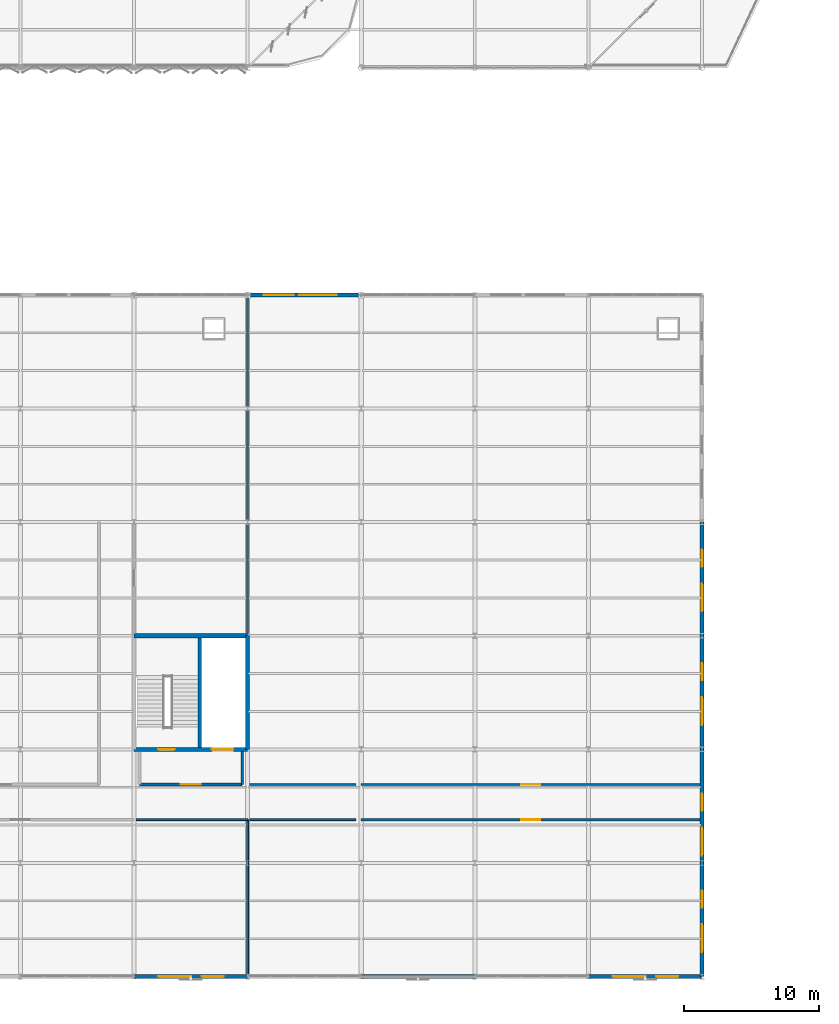
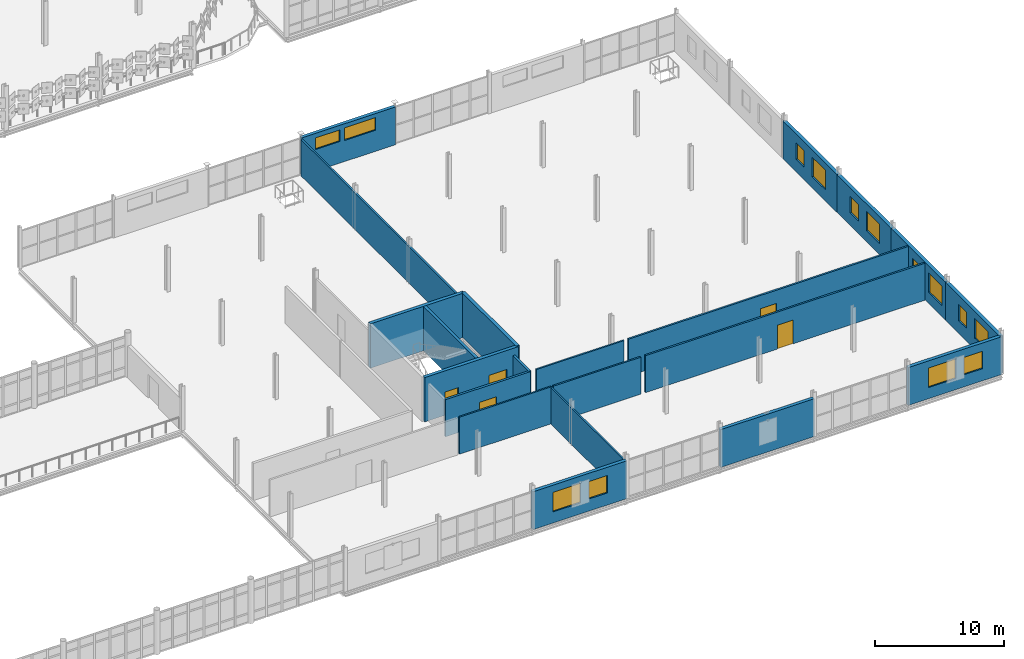
# One storey, part 136 of 163: 21 walls, 14 windows, 5 doors, 19 openings.
"""IFC4 building model written with IfcOpenShell, lengths in metres."""

from ifc_helpers import new_model, si_unit, direction, frame, frame_2d, origin, place, context, subcontext, project, spatial, rectangle, extrude, material, layer, layer_set, type_object, element, fill, save


model = new_model("IFC4")

# Units and contexts
model_context = context("Model", 3, precision=1e-05, world=origin(), true_north=direction((0.0, 1.0)))
body_context = subcontext(model_context, "Body", "Model", "MODEL_VIEW")
ifc_project = project(units=[si_unit("LENGTHUNIT", "METRE"), si_unit("AREAUNIT", "SQUARE_METRE"), si_unit("VOLUMEUNIT", "CUBIC_METRE"), si_unit("PLANEANGLEUNIT", "RADIAN"), si_unit("MASSUNIT", "GRAM", prefix="KILO")], contexts=[model_context])

# Site, building, storey
site_placement = place(None, origin())
site = spatial("IfcSite", under=ifc_project, at=site_placement, CompositionType="ELEMENT")
building_placement = place(site_placement, origin())
building = spatial("IfcBuilding", under=site, at=building_placement, Name="Qalvenar Corner Mobility Hub", CompositionType="ELEMENT")
storey_placement = place(building_placement, frame((0.0, 0.0, 4.800048828125)))
storey = spatial("IfcBuildingStorey", under=building, at=storey_placement, Name="L01", CompositionType="ELEMENT", Elevation=4.800048828125)

# Wall
ifc_material_1 = material(Name="Concrete C40/50", Category="concrete")
ifc_layer_1 = layer(ifc_material_1, 0.25)
ifc_layer_set_1 = layer_set([ifc_layer_1], Name="Concrete C40/50")
wall_type_1 = type_object("IfcWallType", Name="WL-CORE250", PredefinedType="SHEAR", material=ifc_layer_set_1)
wall_1_placement = place(storey_placement, frame((130.85009765625, 16.949951171875, 0.0), z_axis=(0.0, 0.0, 1.0), x_axis=(0.0, 1.0, 0.0)))
element("IfcWall", 1, at=wall_1_placement, inside=storey, type_object=wall_type_1, Name="Core Divider Wall C6-L01", PredefinedType="SHEAR", context=body_context, shape_type="SweptSolid", body=[
    extrude(rectangle(XDim=8.10009765625, YDim=0.25, at=frame_2d((4.050048828125, 0.0))), origin(), (0.0, 0.0, 1.0), 4.199951171875),
])

# Wall, openings, doors
ifc_layer_2 = layer(ifc_material_1, 0.300048828125)
ifc_layer_set_2 = layer_set([ifc_layer_2], Name="Concrete C40/50")
wall_type_2 = type_object("IfcWallType", Name="WL-CORE300", PredefinedType="SHEAR", material=ifc_layer_set_2)
wall_2_placement = place(storey_placement, frame((126.0, 16.800048828125, 0.0), z_axis=(0.0, 0.0, 1.0), x_axis=(1.0, 0.0, 0.0)))
wall_2 = element("IfcWall", 2, at=wall_2_placement, inside=storey, type_object=wall_type_2, Name="Core Shear Wall C6-L01-S", PredefinedType="SHEAR", context=body_context, shape_type="SweptSolid", body=[
    extrude(rectangle(XDim=8.39990234375, YDim=0.300048828125, at=frame_2d((4.199951171875, 0.0))), origin(), (0.0, 0.0, 1.0), 4.199951171875),
])
opening_1_placement = place(wall_2_placement, frame((1.800048828125, 0.0, 0.0)))
opening_1 = element("IfcOpeningElement", 3, at=opening_1_placement, cuts=wall_2, Name="Opening DR-133", PredefinedType="OPENING", context=body_context, shape_type="SweptSolid", body=[
    extrude(rectangle(XDim=1.199951171875, YDim=2.199951171875, at=frame_2d((0.60009765625, 1.10009765625))), frame((0.0, 0.16015625, 0.0), z_axis=(0.0, -1.0, 0.0), x_axis=(1.0, 0.0, 0.0)), (0.0, 0.0, 1.0), 0.320068359375),
])
opening_2_placement = place(wall_2_placement, frame((5.75, 0.0, 0.0)))
opening_2 = element("IfcOpeningElement", 4, at=opening_2_placement, cuts=wall_2, Name="Opening DR-134", PredefinedType="OPENING", context=body_context, shape_type="SweptSolid", body=[
    extrude(rectangle(XDim=1.60009765625, YDim=2.39990234375, at=frame_2d((0.800048828125, 1.199951171875))), frame((0.0, 0.16015625, 0.0), z_axis=(0.0, -1.0, 0.0), x_axis=(1.0, 0.0, 0.0)), (0.0, 0.0, 1.0), 0.320068359375),
])
ifc_material_2 = material(Name="Stainless Steel Goods Lift Landing Door", Category="steel")
door_type_1 = type_object("IfcDoorType", Name="DR-LIFT-160", OperationType="SLIDING_TO_LEFT", PredefinedType="DOOR", material=ifc_material_2)
door_1_placement = place(opening_2_placement, origin())
door_1 = element("IfcDoor", 5, at=door_1_placement, inside=storey, type_object=door_type_1, Name="DR-134 Lift Landing Door LG2-L01", OperationType="SLIDING_TO_LEFT", OverallHeight=2.39990234375, OverallWidth=1.60009765625, PredefinedType="DOOR", context=body_context, shape_type="SweptSolid", body=[
    extrude(rectangle(XDim=1.60009765625, YDim=2.39990234375, at=frame_2d((0.800048828125, 1.199951171875))), frame((0.0, 0.02490234375, 0.0), z_axis=(0.0, -1.0, 0.0), x_axis=(1.0, 0.0, 0.0)), (0.0, 0.0, 1.0), 0.050048828125),
])
fill(opening_2, door_1)
ifc_material_3 = material(Name="Fire-Rated Steel Stair Door FD90", Category="steel")
door_type_2 = type_object("IfcDoorType", Name="DR-STAIR-120", OperationType="NOTDEFINED", PredefinedType="DOOR", material=ifc_material_3)
door_2_placement = place(opening_1_placement, origin())
door_2 = element("IfcDoor", 6, at=door_2_placement, inside=storey, type_object=door_type_2, Name="DR-133 Stair Fire Door ST6-L01", OperationType="SINGLE_SWING_LEFT", OverallHeight=2.199951171875, OverallWidth=1.199951171875, PredefinedType="DOOR", context=body_context, shape_type="SweptSolid", body=[
    extrude(rectangle(XDim=1.199951171875, YDim=2.199951171875, at=frame_2d((0.60009765625, 1.10009765625))), frame((0.0, 0.02490234375, 0.0), z_axis=(0.0, -1.0, 0.0), x_axis=(1.0, 0.0, 0.0)), (0.0, 0.0, 1.0), 0.050048828125),
])
fill(opening_1, door_2)

# Walls
for number, where, z_axis, x_axis, name in (
    (7, (134.39990234375, 16.800048828125, 0.0), (0.0, 0.0, 1.0), (0.0, 1.0, 0.0), "Core Shear Wall C6-L01-E"),
    (8, (134.39990234375, 25.199951171875, 0.0), (0.0, 0.0, 1.0), (-1.0, 0.0, 0.0), "Core Shear Wall C6-L01-N"),
):
    element("IfcWall", number, at=place(storey_placement, frame(where, z_axis=z_axis, x_axis=x_axis)), inside=storey, type_object=wall_type_2, Name=name, PredefinedType="SHEAR", context=body_context, shape_type="SweptSolid", body=[
        extrude(rectangle(XDim=8.39990234375, YDim=0.300048828125, at=frame_2d((4.199951171875, 0.0))), origin(), (0.0, 0.0, 1.0), 4.199951171875),
    ])

# Wall, openings, windows
ifc_material_4 = material(Name="Lahori Fired Clay Brick Masonry", Category="masonry")
ifc_layer_3 = layer(ifc_material_4, 0.300048828125)
ifc_layer_set_3 = layer_set([ifc_layer_3], Name="Lahori Fired Clay Brick Masonry")
wall_type_3 = type_object("IfcWallType", Name="WL-EXT-BRK300", PredefinedType="STANDARD", material=ifc_layer_set_3)
wall_3_placement = place(storey_placement, frame((126.0, 0.0, 0.0), z_axis=(0.0, 0.0, 1.0), x_axis=(1.0, 0.0, 0.0)))
wall_3 = element("IfcWall", 9, at=wall_3_placement, inside=storey, type_object=wall_type_3, Name="Exterior Facade Wall EW-V6-L01-S2", PredefinedType="STANDARD", context=body_context, shape_type="SweptSolid", body=[
    extrude(rectangle(XDim=8.39990234375, YDim=0.300048828125, at=frame_2d((4.199951171875, 0.0))), origin(), (0.0, 0.0, 1.0), 3.579833984375),
])
opening_3_placement = place(wall_3_placement, frame((1.800048828125, 0.0, 1.050048828125)))
opening_3 = element("IfcOpeningElement", 10, at=opening_3_placement, cuts=wall_3, Name="Opening W-36", PredefinedType="OPENING", context=body_context, shape_type="SweptSolid", body=[
    extrude(rectangle(XDim=2.449951171875, YDim=1.85009765625, at=frame_2d((1.22509765625, 0.925048828125))), frame((0.0, 0.16015625, 0.0), z_axis=(0.0, -1.0, 0.0), x_axis=(1.0, 0.0, 0.0)), (0.0, 0.0, 1.0), 0.320068359375),
])
opening_4_placement = place(wall_3_placement, frame((5.0, 0.0, 1.14990234375)))
opening_4 = element("IfcOpeningElement", 11, at=opening_4_placement, cuts=wall_3, Name="Opening W-38", PredefinedType="OPENING", context=body_context, shape_type="SweptSolid", body=[
    extrude(rectangle(XDim=1.64990234375, YDim=1.64990234375, at=frame_2d((0.824951171875, 0.824951171875))), frame((0.0, 0.16015625, 0.0), z_axis=(0.0, -1.0, 0.0), x_axis=(1.0, 0.0, 0.0)), (0.0, 0.0, 1.0), 0.320068359375),
])
ifc_material_5 = material(Name="Solar-Control Double-Glazed Bronze Window", Category="glass")
window_type_1 = type_object("IfcWindowType", Name="WN-WKS-165X165", PartitioningType="DOUBLE_PANEL_VERTICAL", PredefinedType="WINDOW", material=ifc_material_5)
window_1_placement = place(opening_4_placement, origin())
window_1 = element("IfcWindow", 12, at=window_1_placement, inside=storey, type_object=window_type_1, Name="Facade Window EW-V6-L01-S2-W2", OverallHeight=1.64990234375, OverallWidth=1.64990234375, PartitioningType="SINGLE_PANEL", PredefinedType="WINDOW", context=body_context, shape_type="SweptSolid", body=[
    extrude(rectangle(XDim=1.64990234375, YDim=1.64990234375, at=frame_2d((0.824951171875, 0.824951171875))), frame((0.0, 0.030029296875, 0.0), z_axis=(0.0, -1.0, 0.0), x_axis=(1.0, 0.0, 0.0)), (0.0, 0.0, 1.0), 0.06005859375),
])
fill(opening_4, window_1)
window_type_2 = type_object("IfcWindowType", Name="WN-WKS-245X185", PartitioningType="DOUBLE_PANEL_HORIZONTAL", PredefinedType="WINDOW", material=ifc_material_5)
window_2_placement = place(opening_3_placement, origin())
window_2 = element("IfcWindow", 13, at=window_2_placement, inside=storey, type_object=window_type_2, Name="Facade Window EW-V6-L01-S2-W1", OverallHeight=1.85009765625, OverallWidth=2.449951171875, PartitioningType="SINGLE_PANEL", PredefinedType="WINDOW", context=body_context, shape_type="SweptSolid", body=[
    extrude(rectangle(XDim=2.449951171875, YDim=1.85009765625, at=frame_2d((1.22509765625, 0.925048828125))), frame((0.0, 0.030029296875, 0.0), z_axis=(0.0, -1.0, 0.0), x_axis=(1.0, 0.0, 0.0)), (0.0, 0.0, 1.0), 0.06005859375),
])
fill(opening_3, window_2)

# Wall
wall_4_placement = place(storey_placement, frame((142.800048828125, 0.0, 0.0), z_axis=(0.0, 0.0, 1.0), x_axis=(1.0, 0.0, 0.0)))
element("IfcWall", 14, at=wall_4_placement, inside=storey, type_object=wall_type_3, Name="Exterior Facade Wall EW-V6-L01-S4", PredefinedType="STANDARD", context=body_context, shape_type="SweptSolid", body=[
    extrude(rectangle(XDim=8.39990234375, YDim=0.300048828125, at=frame_2d((4.199951171875, 0.0))), origin(), (0.0, 0.0, 1.0), 3.579833984375),
])

# Wall, openings, windows
wall_5_placement = place(storey_placement, frame((159.60009765625, 0.0, 0.0), z_axis=(0.0, 0.0, 1.0), x_axis=(1.0, 0.0, 0.0)))
wall_5 = element("IfcWall", 15, at=wall_5_placement, inside=storey, type_object=wall_type_3, Name="Exterior Facade Wall EW-V6-L01-S6", PredefinedType="STANDARD", context=body_context, shape_type="SweptSolid", body=[
    extrude(rectangle(XDim=8.39990234375, YDim=0.300048828125, at=frame_2d((4.199951171875, 0.0))), origin(), (0.0, 0.0, 1.0), 3.579833984375),
])
opening_5_placement = place(wall_5_placement, frame((1.800048828125, 0.0, 1.050048828125)))
opening_5 = element("IfcOpeningElement", 16, at=opening_5_placement, cuts=wall_5, Name="Opening W-36", PredefinedType="OPENING", context=body_context, shape_type="SweptSolid", body=[
    extrude(rectangle(XDim=2.449951171875, YDim=1.85009765625, at=frame_2d((1.22509765625, 0.925048828125))), frame((0.0, 0.16015625, 0.0), z_axis=(0.0, -1.0, 0.0), x_axis=(1.0, 0.0, 0.0)), (0.0, 0.0, 1.0), 0.320068359375),
])
opening_6_placement = place(wall_5_placement, frame((5.0, 0.0, 1.14990234375)))
opening_6 = element("IfcOpeningElement", 17, at=opening_6_placement, cuts=wall_5, Name="Opening W-38", PredefinedType="OPENING", context=body_context, shape_type="SweptSolid", body=[
    extrude(rectangle(XDim=1.64990234375, YDim=1.64990234375, at=frame_2d((0.824951171875, 0.824951171875))), frame((0.0, 0.16015625, 0.0), z_axis=(0.0, -1.0, 0.0), x_axis=(1.0, 0.0, 0.0)), (0.0, 0.0, 1.0), 0.320068359375),
])
window_3_placement = place(opening_6_placement, origin())
window_3 = element("IfcWindow", 18, at=window_3_placement, inside=storey, type_object=window_type_1, Name="Facade Window EW-V6-L01-S6-W2", OverallHeight=1.64990234375, OverallWidth=1.64990234375, PartitioningType="SINGLE_PANEL", PredefinedType="WINDOW", context=body_context, shape_type="SweptSolid", body=[
    extrude(rectangle(XDim=1.64990234375, YDim=1.64990234375, at=frame_2d((0.824951171875, 0.824951171875))), frame((0.0, 0.030029296875, 0.0), z_axis=(0.0, -1.0, 0.0), x_axis=(1.0, 0.0, 0.0)), (0.0, 0.0, 1.0), 0.06005859375),
])
fill(opening_6, window_3)
window_4_placement = place(opening_5_placement, origin())
window_4 = element("IfcWindow", 19, at=window_4_placement, inside=storey, type_object=window_type_2, Name="Facade Window EW-V6-L01-S6-W1", OverallHeight=1.85009765625, OverallWidth=2.449951171875, PartitioningType="SINGLE_PANEL", PredefinedType="WINDOW", context=body_context, shape_type="SweptSolid", body=[
    extrude(rectangle(XDim=2.449951171875, YDim=1.85009765625, at=frame_2d((1.22509765625, 0.925048828125))), frame((0.0, 0.030029296875, 0.0), z_axis=(0.0, -1.0, 0.0), x_axis=(1.0, 0.0, 0.0)), (0.0, 0.0, 1.0), 0.06005859375),
])
fill(opening_5, window_4)

wall_6_placement = place(storey_placement, frame((168.0, 0.0, 0.0), z_axis=(0.0, 0.0, 1.0), x_axis=(0.0, 1.0, 0.0)))
wall_6 = element("IfcWall", 20, at=wall_6_placement, inside=storey, type_object=wall_type_3, Name="Exterior Facade Wall EW-V6-L01-E0", PredefinedType="STANDARD", context=body_context, shape_type="SweptSolid", body=[
    extrude(rectangle(XDim=8.39990234375, YDim=0.300048828125, at=frame_2d((4.199951171875, 0.0))), origin(), (0.0, 0.0, 1.0), 3.579833984375),
])
opening_7_placement = place(wall_6_placement, frame((1.800048828125, 0.0, 1.050048828125)))
opening_7 = element("IfcOpeningElement", 21, at=opening_7_placement, cuts=wall_6, Name="Opening W-37", PredefinedType="OPENING", context=body_context, shape_type="SweptSolid", body=[
    extrude(rectangle(XDim=2.050048828125, YDim=1.85009765625, at=frame_2d((1.02490234375, 0.925048828125))), frame((0.0, 0.16015625, 0.0), z_axis=(0.0, -1.0, 0.0), x_axis=(1.0, 0.0, 0.0)), (0.0, 0.0, 1.0), 0.320068359375),
])
opening_8_placement = place(wall_6_placement, frame((5.10009765625, 0.0, 1.199951171875)))
opening_8 = element("IfcOpeningElement", 22, at=opening_8_placement, cuts=wall_6, Name="Opening W-39", PredefinedType="OPENING", context=body_context, shape_type="SweptSolid", body=[
    extrude(rectangle(XDim=1.25, YDim=1.550048828125, at=frame_2d((0.625, 0.77490234375))), frame((0.0, 0.16015625, 0.0), z_axis=(0.0, -1.0, 0.0), x_axis=(1.0, 0.0, 0.0)), (0.0, 0.0, 1.0), 0.320068359375),
])
window_type_3 = type_object("IfcWindowType", Name="WN-WKS-125X155", PartitioningType="SINGLE_PANEL", PredefinedType="WINDOW", material=ifc_material_5)
window_5_placement = place(opening_8_placement, origin())
window_5 = element("IfcWindow", 23, at=window_5_placement, inside=storey, type_object=window_type_3, Name="Facade Window EW-V6-L01-E0-W2", OverallHeight=1.550048828125, OverallWidth=1.25, PartitioningType="SINGLE_PANEL", PredefinedType="WINDOW", context=body_context, shape_type="SweptSolid", body=[
    extrude(rectangle(XDim=1.25, YDim=1.550048828125, at=frame_2d((0.625, 0.77490234375))), frame((0.0, 0.030029296875, 0.0), z_axis=(0.0, -1.0, 0.0), x_axis=(1.0, 0.0, 0.0)), (0.0, 0.0, 1.0), 0.06005859375),
])
fill(opening_8, window_5)
window_type_4 = type_object("IfcWindowType", Name="WN-WKS-205X185", PartitioningType="DOUBLE_PANEL_VERTICAL", PredefinedType="WINDOW", material=ifc_material_5)
window_6_placement = place(opening_7_placement, origin())
window_6 = element("IfcWindow", 24, at=window_6_placement, inside=storey, type_object=window_type_4, Name="Facade Window EW-V6-L01-E0-W1", OverallHeight=1.85009765625, OverallWidth=2.050048828125, PartitioningType="SINGLE_PANEL", PredefinedType="WINDOW", context=body_context, shape_type="SweptSolid", body=[
    extrude(rectangle(XDim=2.050048828125, YDim=1.85009765625, at=frame_2d((1.02490234375, 0.925048828125))), frame((0.0, 0.030029296875, 0.0), z_axis=(0.0, -1.0, 0.0), x_axis=(1.0, 0.0, 0.0)), (0.0, 0.0, 1.0), 0.06005859375),
])
fill(opening_7, window_6)

wall_7_placement = place(storey_placement, frame((168.0, 8.39990234375, 0.0), z_axis=(0.0, 0.0, 1.0), x_axis=(0.0, 1.0, 0.0)))
wall_7 = element("IfcWall", 25, at=wall_7_placement, inside=storey, type_object=wall_type_3, Name="Exterior Facade Wall EW-V6-L01-E1", PredefinedType="STANDARD", context=body_context, shape_type="SweptSolid", body=[
    extrude(rectangle(XDim=8.400146484375, YDim=0.300048828125, at=frame_2d((4.2001953125, 0.0))), origin(), (0.0, 0.0, 1.0), 3.579833984375),
])
opening_9_placement = place(wall_7_placement, frame((0.550048828125, 0.0, 1.050048828125)))
opening_9 = element("IfcOpeningElement", 26, at=opening_9_placement, cuts=wall_7, Name="Opening W-37", PredefinedType="OPENING", context=body_context, shape_type="SweptSolid", body=[
    extrude(rectangle(XDim=2.050048828125, YDim=1.85009765625, at=frame_2d((1.02490234375, 0.925048828125))), frame((0.0, 0.16015625, 0.0), z_axis=(0.0, -1.0, 0.0), x_axis=(1.0, 0.0, 0.0)), (0.0, 0.0, 1.0), 0.320068359375),
])
opening_10_placement = place(wall_7_placement, frame((3.875, 0.0, 1.199951171875)))
opening_10 = element("IfcOpeningElement", 27, at=opening_10_placement, cuts=wall_7, Name="Opening W-39", PredefinedType="OPENING", context=body_context, shape_type="SweptSolid", body=[
    extrude(rectangle(XDim=1.25, YDim=1.550048828125, at=frame_2d((0.625, 0.77490234375))), frame((0.0, 0.16015625, 0.0), z_axis=(0.0, -1.0, 0.0), x_axis=(1.0, 0.0, 0.0)), (0.0, 0.0, 1.0), 0.320068359375),
])
window_7_placement = place(opening_10_placement, origin())
window_7 = element("IfcWindow", 28, at=window_7_placement, inside=storey, type_object=window_type_3, Name="Facade Window EW-V6-L01-E1-W2", OverallHeight=1.550048828125, OverallWidth=1.25, PartitioningType="SINGLE_PANEL", PredefinedType="WINDOW", context=body_context, shape_type="SweptSolid", body=[
    extrude(rectangle(XDim=1.25, YDim=1.550048828125, at=frame_2d((0.625, 0.77490234375))), frame((0.0, 0.030029296875, 0.0), z_axis=(0.0, -1.0, 0.0), x_axis=(1.0, 0.0, 0.0)), (0.0, 0.0, 1.0), 0.06005859375),
])
fill(opening_10, window_7)
window_8_placement = place(opening_9_placement, origin())
window_8 = element("IfcWindow", 29, at=window_8_placement, inside=storey, type_object=window_type_4, Name="Facade Window EW-V6-L01-E1-W1", OverallHeight=1.85009765625, OverallWidth=2.050048828125, PartitioningType="SINGLE_PANEL", PredefinedType="WINDOW", context=body_context, shape_type="SweptSolid", body=[
    extrude(rectangle(XDim=2.050048828125, YDim=1.85009765625, at=frame_2d((1.02490234375, 0.925048828125))), frame((0.0, 0.030029296875, 0.0), z_axis=(0.0, -1.0, 0.0), x_axis=(1.0, 0.0, 0.0)), (0.0, 0.0, 1.0), 0.06005859375),
])
fill(opening_9, window_8)

wall_8_placement = place(storey_placement, frame((168.0, 16.800048828125, 0.0), z_axis=(0.0, 0.0, 1.0), x_axis=(0.0, 1.0, 0.0)))
wall_8 = element("IfcWall", 30, at=wall_8_placement, inside=storey, type_object=wall_type_3, Name="Exterior Facade Wall EW-V6-L01-E2", PredefinedType="STANDARD", context=body_context, shape_type="SweptSolid", body=[
    extrude(rectangle(XDim=8.39990234375, YDim=0.300048828125, at=frame_2d((4.199951171875, 0.0))), origin(), (0.0, 0.0, 1.0), 3.579833984375),
])
opening_11_placement = place(wall_8_placement, frame((1.800048828125, 0.0, 1.050048828125)))
opening_11 = element("IfcOpeningElement", 31, at=opening_11_placement, cuts=wall_8, Name="Opening W-37", PredefinedType="OPENING", context=body_context, shape_type="SweptSolid", body=[
    extrude(rectangle(XDim=2.050048828125, YDim=1.85009765625, at=frame_2d((1.02490234375, 0.925048828125))), frame((0.0, 0.16015625, 0.0), z_axis=(0.0, -1.0, 0.0), x_axis=(1.0, 0.0, 0.0)), (0.0, 0.0, 1.0), 0.320068359375),
])
opening_12_placement = place(wall_8_placement, frame((5.10009765625, 0.0, 1.199951171875)))
opening_12 = element("IfcOpeningElement", 32, at=opening_12_placement, cuts=wall_8, Name="Opening W-39", PredefinedType="OPENING", context=body_context, shape_type="SweptSolid", body=[
    extrude(rectangle(XDim=1.25, YDim=1.550048828125, at=frame_2d((0.625, 0.77490234375))), frame((0.0, 0.16015625, 0.0), z_axis=(0.0, -1.0, 0.0), x_axis=(1.0, 0.0, 0.0)), (0.0, 0.0, 1.0), 0.320068359375),
])
window_9_placement = place(opening_12_placement, origin())
window_9 = element("IfcWindow", 33, at=window_9_placement, inside=storey, type_object=window_type_3, Name="Facade Window EW-V6-L01-E2-W2", OverallHeight=1.550048828125, OverallWidth=1.25, PartitioningType="SINGLE_PANEL", PredefinedType="WINDOW", context=body_context, shape_type="SweptSolid", body=[
    extrude(rectangle(XDim=1.25, YDim=1.550048828125, at=frame_2d((0.625, 0.77490234375))), frame((0.0, 0.030029296875, 0.0), z_axis=(0.0, -1.0, 0.0), x_axis=(1.0, 0.0, 0.0)), (0.0, 0.0, 1.0), 0.06005859375),
])
fill(opening_12, window_9)
window_10_placement = place(opening_11_placement, origin())
window_10 = element("IfcWindow", 34, at=window_10_placement, inside=storey, type_object=window_type_4, Name="Facade Window EW-V6-L01-E2-W1", OverallHeight=1.85009765625, OverallWidth=2.050048828125, PartitioningType="SINGLE_PANEL", PredefinedType="WINDOW", context=body_context, shape_type="SweptSolid", body=[
    extrude(rectangle(XDim=2.050048828125, YDim=1.85009765625, at=frame_2d((1.02490234375, 0.925048828125))), frame((0.0, 0.030029296875, 0.0), z_axis=(0.0, -1.0, 0.0), x_axis=(1.0, 0.0, 0.0)), (0.0, 0.0, 1.0), 0.06005859375),
])
fill(opening_11, window_10)

wall_9_placement = place(storey_placement, frame((168.0, 25.199951171875, 0.0), z_axis=(0.0, 0.0, 1.0), x_axis=(0.0, 1.0, 0.0)))
wall_9 = element("IfcWall", 35, at=wall_9_placement, inside=storey, type_object=wall_type_3, Name="Exterior Facade Wall EW-V6-L01-E3", PredefinedType="STANDARD", context=body_context, shape_type="SweptSolid", body=[
    extrude(rectangle(XDim=8.400146484375, YDim=0.300048828125, at=frame_2d((4.2001953125, 0.0))), origin(), (0.0, 0.0, 1.0), 3.579833984375),
])
opening_13_placement = place(wall_9_placement, frame((1.800048828125, 0.0, 1.050048828125)))
opening_13 = element("IfcOpeningElement", 36, at=opening_13_placement, cuts=wall_9, Name="Opening W-37", PredefinedType="OPENING", context=body_context, shape_type="SweptSolid", body=[
    extrude(rectangle(XDim=2.050048828125, YDim=1.85009765625, at=frame_2d((1.02490234375, 0.925048828125))), frame((0.0, 0.16015625, 0.0), z_axis=(0.0, -1.0, 0.0), x_axis=(1.0, 0.0, 0.0)), (0.0, 0.0, 1.0), 0.320068359375),
])
opening_14_placement = place(wall_9_placement, frame((5.10009765625, 0.0, 1.199951171875)))
opening_14 = element("IfcOpeningElement", 37, at=opening_14_placement, cuts=wall_9, Name="Opening W-39", PredefinedType="OPENING", context=body_context, shape_type="SweptSolid", body=[
    extrude(rectangle(XDim=1.25, YDim=1.550048828125, at=frame_2d((0.625, 0.77490234375))), frame((0.0, 0.16015625, 0.0), z_axis=(0.0, -1.0, 0.0), x_axis=(1.0, 0.0, 0.0)), (0.0, 0.0, 1.0), 0.320068359375),
])
window_11_placement = place(opening_14_placement, origin())
window_11 = element("IfcWindow", 38, at=window_11_placement, inside=storey, type_object=window_type_3, Name="Facade Window EW-V6-L01-E3-W2", OverallHeight=1.550048828125, OverallWidth=1.25, PartitioningType="SINGLE_PANEL", PredefinedType="WINDOW", context=body_context, shape_type="SweptSolid", body=[
    extrude(rectangle(XDim=1.25, YDim=1.550048828125, at=frame_2d((0.625, 0.77490234375))), frame((0.0, 0.030029296875, 0.0), z_axis=(0.0, -1.0, 0.0), x_axis=(1.0, 0.0, 0.0)), (0.0, 0.0, 1.0), 0.06005859375),
])
fill(opening_14, window_11)
window_12_placement = place(opening_13_placement, origin())
window_12 = element("IfcWindow", 39, at=window_12_placement, inside=storey, type_object=window_type_4, Name="Facade Window EW-V6-L01-E3-W1", OverallHeight=1.85009765625, OverallWidth=2.050048828125, PartitioningType="SINGLE_PANEL", PredefinedType="WINDOW", context=body_context, shape_type="SweptSolid", body=[
    extrude(rectangle(XDim=2.050048828125, YDim=1.85009765625, at=frame_2d((1.02490234375, 0.925048828125))), frame((0.0, 0.030029296875, 0.0), z_axis=(0.0, -1.0, 0.0), x_axis=(1.0, 0.0, 0.0)), (0.0, 0.0, 1.0), 0.06005859375),
])
fill(opening_13, window_12)

wall_10_placement = place(storey_placement, frame((142.800048828125, 50.39990234375, 0.0), z_axis=(0.0, 0.0, 1.0), x_axis=(-1.0, 0.0, 0.0)))
wall_10 = element("IfcWall", 40, at=wall_10_placement, inside=storey, type_object=wall_type_3, Name="Exterior Facade Wall EW-V6-L01-N3", PredefinedType="STANDARD", context=body_context, shape_type="SweptSolid", body=[
    extrude(rectangle(XDim=8.400146484375, YDim=0.300048828125, at=frame_2d((4.2001953125, 0.0))), origin(), (0.0, 0.0, 1.0), 3.579833984375),
])
opening_15_placement = place(wall_10_placement, frame((1.800048828125, 0.0, 2.0)))
opening_15 = element("IfcOpeningElement", 41, at=opening_15_placement, cuts=wall_10, Name="Opening W-20", PredefinedType="OPENING", context=body_context, shape_type="SweptSolid", body=[
    extrude(rectangle(XDim=2.800048828125, YDim=1.199951171875, at=frame_2d((1.39990234375, 0.60009765625))), frame((0.0, 0.16015625, 0.0), z_axis=(0.0, -1.0, 0.0), x_axis=(1.0, 0.0, 0.0)), (0.0, 0.0, 1.0), 0.320068359375),
])
opening_16_placement = place(wall_10_placement, frame((5.0, 0.0, 2.050048828125)))
opening_16 = element("IfcOpeningElement", 42, at=opening_16_placement, cuts=wall_10, Name="Opening W-21", PredefinedType="OPENING", context=body_context, shape_type="SweptSolid", body=[
    extrude(rectangle(XDim=2.199951171875, YDim=1.10009765625, at=frame_2d((1.10009765625, 0.550048828125))), frame((0.0, 0.16015625, 0.0), z_axis=(0.0, -1.0, 0.0), x_axis=(1.0, 0.0, 0.0)), (0.0, 0.0, 1.0), 0.320068359375),
])
window_type_5 = type_object("IfcWindowType", Name="WN-CLR-220X110", PartitioningType="DOUBLE_PANEL_HORIZONTAL", PredefinedType="WINDOW", material=ifc_material_5)
window_13_placement = place(opening_16_placement, origin())
window_13 = element("IfcWindow", 43, at=window_13_placement, inside=storey, type_object=window_type_5, Name="Facade Window EW-V6-L01-N3-W2", OverallHeight=1.10009765625, OverallWidth=2.199951171875, PartitioningType="SINGLE_PANEL", PredefinedType="WINDOW", context=body_context, shape_type="SweptSolid", body=[
    extrude(rectangle(XDim=2.199951171875, YDim=1.10009765625, at=frame_2d((1.10009765625, 0.550048828125))), frame((0.0, 0.030029296875, 0.0), z_axis=(0.0, -1.0, 0.0), x_axis=(1.0, 0.0, 0.0)), (0.0, 0.0, 1.0), 0.06005859375),
])
fill(opening_16, window_13)
window_type_6 = type_object("IfcWindowType", Name="WN-CLR-280X120", PartitioningType="TRIPLE_PANEL_VERTICAL", PredefinedType="WINDOW", material=ifc_material_5)
window_14_placement = place(opening_15_placement, origin())
window_14 = element("IfcWindow", 44, at=window_14_placement, inside=storey, type_object=window_type_6, Name="Facade Window EW-V6-L01-N3-W1", OverallHeight=1.199951171875, OverallWidth=2.800048828125, PartitioningType="SINGLE_PANEL", PredefinedType="WINDOW", context=body_context, shape_type="SweptSolid", body=[
    extrude(rectangle(XDim=2.800048828125, YDim=1.199951171875, at=frame_2d((1.39990234375, 0.60009765625))), frame((0.0, 0.030029296875, 0.0), z_axis=(0.0, -1.0, 0.0), x_axis=(1.0, 0.0, 0.0)), (0.0, 0.0, 1.0), 0.06005859375),
])
fill(opening_15, window_14)

# Walls
ifc_material_6 = material(Name="Acoustic Gypsum Stud Partition", Category="masonry")
ifc_layer_4 = layer(ifc_material_6, 0.139892578125)
ifc_layer_set_4 = layer_set([ifc_layer_4], Name="Acoustic Gypsum Stud Partition")
wall_type_4 = type_object("IfcWallType", Name="WL-INT140", PredefinedType="PARTITIONING", material=ifc_layer_set_4)
wall_11_placement = place(storey_placement, frame((126.14990234375, 11.60009765625, 0.0), z_axis=(0.0, 0.0, 1.0), x_axis=(1.0, 0.0, 0.0)))
element("IfcWall", 45, at=wall_11_placement, inside=storey, type_object=wall_type_4, Name="Interior Partition PRT-L01-010", PredefinedType="PARTITIONING", context=body_context, shape_type="SweptSolid", body=[
    extrude(rectangle(XDim=8.25, YDim=0.139892578125, at=frame_2d((4.125, 0.0))), origin(), (0.0, 0.0, 1.0), 3.5),
])
for number, where, z_axis, x_axis, name in (
    (46, (134.550048828125, 11.60009765625, 0.0), (0.0, 0.0, 1.0), (1.0, 0.0, 0.0), "Interior Partition PRT-L01-011"),
    (47, (134.550048828125, 14.199951171875, 0.0), (0.0, 0.0, 1.0), (1.0, 0.0, 0.0), "Interior Partition PRT-L01-014"),
):
    element("IfcWall", number, at=place(storey_placement, frame(where, z_axis=z_axis, x_axis=x_axis)), inside=storey, type_object=wall_type_4, Name=name, PredefinedType="PARTITIONING", context=body_context, shape_type="SweptSolid", body=[
        extrude(rectangle(XDim=7.849853515625, YDim=0.139892578125, at=frame_2d((3.9248046875, 0.0))), origin(), (0.0, 0.0, 1.0), 3.5),
    ])
wall_12_placement = place(storey_placement, frame((134.39990234375, 0.155029296875, 0.0), z_axis=(0.0, 0.0, 1.0), x_axis=(0.0, 1.0, 0.0)))
element("IfcWall", 48, at=wall_12_placement, inside=storey, type_object=wall_type_4, Name="Interior Partition PRT-L01-046", PredefinedType="PARTITIONING", context=body_context, shape_type="SweptSolid", body=[
    extrude(rectangle(XDim=11.445068359375, YDim=0.139892578125, at=frame_2d((5.72265625, 0.0))), origin(), (0.0, 0.0, 1.0), 3.449951171875),
])

# Wall, opening, door
ifc_material_7 = material(Name="Plastered Clay Brick Partition", Category="masonry")
ifc_layer_5 = layer(ifc_material_7, 0.159912109375)
ifc_layer_set_5 = layer_set([ifc_layer_5], Name="Plastered Clay Brick Partition")
wall_type_5 = type_object("IfcWallType", Name="WL-INT160", PredefinedType="PARTITIONING", material=ifc_layer_set_5)
wall_13_placement = place(storey_placement, frame((142.800048828125, 11.60009765625, 0.0), z_axis=(0.0, 0.0, 1.0), x_axis=(1.0, 0.0, 0.0)))
wall_13 = element("IfcWall", 49, at=wall_13_placement, inside=storey, type_object=wall_type_5, Name="Interior Partition PRT-L01-012", PredefinedType="PARTITIONING", context=body_context, shape_type="SweptSolid", body=[
    extrude(rectangle(XDim=25.044921875, YDim=0.159912109375, at=frame_2d((12.5224609375, 0.0))), origin(), (0.0, 0.0, 1.0), 3.5),
])
opening_17_placement = place(wall_13_placement, frame((11.822021484375, 0.0, 0.0)))
opening_17 = element("IfcOpeningElement", 50, at=opening_17_placement, cuts=wall_13, Name="Opening DR-143", PredefinedType="OPENING", context=body_context, shape_type="SweptSolid", body=[
    extrude(rectangle(XDim=1.39990234375, YDim=2.25, at=frame_2d((0.699951171875, 1.125))), frame((0.0, 0.08984375, 0.0), z_axis=(0.0, -1.0, 0.0), x_axis=(1.0, 0.0, 0.0)), (0.0, 0.0, 1.0), 0.179931640625),
])
ifc_material_8 = material(Name="Hardwood Teak Acoustic Double Door", Category="wood")
door_type_3 = type_object("IfcDoorType", Name="DR-INT-PUB140", OperationType="DOUBLE_DOOR_SINGLE_SWING", PredefinedType="DOOR", material=ifc_material_8)
door_3_placement = place(opening_17_placement, origin())
door_3 = element("IfcDoor", 51, at=door_3_placement, inside=storey, type_object=door_type_3, Name="DR-143 Driver Safety Training Classroom Door", OperationType="DOUBLE_DOOR_SINGLE_SWING", OverallHeight=2.25, OverallWidth=1.39990234375, PredefinedType="DOOR", context=body_context, shape_type="SweptSolid", body=[
    extrude(rectangle(XDim=1.39990234375, YDim=2.25, at=frame_2d((0.699951171875, 1.125))), frame((0.0, 0.02490234375, 0.0), z_axis=(0.0, -1.0, 0.0), x_axis=(1.0, 0.0, 0.0)), (0.0, 0.0, 1.0), 0.050048828125),
])
fill(opening_17, door_3)

wall_14_placement = place(storey_placement, frame((142.800048828125, 14.199951171875, 0.0), z_axis=(0.0, 0.0, 1.0), x_axis=(1.0, 0.0, 0.0)))
wall_14 = element("IfcWall", 52, at=wall_14_placement, inside=storey, type_object=wall_type_5, Name="Interior Partition PRT-L01-015", PredefinedType="PARTITIONING", context=body_context, shape_type="SweptSolid", body=[
    extrude(rectangle(XDim=25.044921875, YDim=0.159912109375, at=frame_2d((12.5224609375, 0.0))), origin(), (0.0, 0.0, 1.0), 3.5),
])
opening_18_placement = place(wall_14_placement, frame((11.822021484375, 0.0, 0.0)))
opening_18 = element("IfcOpeningElement", 53, at=opening_18_placement, cuts=wall_14, Name="Opening DR-145", PredefinedType="OPENING", context=body_context, shape_type="SweptSolid", body=[
    extrude(rectangle(XDim=1.39990234375, YDim=2.25, at=frame_2d((0.699951171875, 1.125))), frame((0.0, 0.08984375, 0.0), z_axis=(0.0, -1.0, 0.0), x_axis=(1.0, 0.0, 0.0)), (0.0, 0.0, 1.0), 0.179931640625),
])
door_4_placement = place(opening_18_placement, origin())
door_4 = element("IfcDoor", 54, at=door_4_placement, inside=storey, type_object=door_type_3, Name="DR-145 Shuttle Fleet Light Maintenance Bay Door", OperationType="DOUBLE_DOOR_SINGLE_SWING", OverallHeight=2.25, OverallWidth=1.39990234375, PredefinedType="DOOR", context=body_context, shape_type="SweptSolid", body=[
    extrude(rectangle(XDim=1.39990234375, YDim=2.25, at=frame_2d((0.699951171875, 1.125))), frame((0.0, 0.02490234375, 0.0), z_axis=(0.0, -1.0, 0.0), x_axis=(1.0, 0.0, 0.0)), (0.0, 0.0, 1.0), 0.050048828125),
])
fill(opening_18, door_4)

# Walls
wall_15_placement = place(storey_placement, frame((134.39990234375, 25.35498046875, 0.0), z_axis=(0.0, 0.0, 1.0), x_axis=(0.0, 1.0, 0.0)))
element("IfcWall", 55, at=wall_15_placement, inside=storey, type_object=wall_type_5, Name="Interior Partition PRT-L01-047", PredefinedType="PARTITIONING", context=body_context, shape_type="SweptSolid", body=[
    extrude(rectangle(XDim=24.89013671875, YDim=0.159912109375, at=frame_2d((12.445068359375, 0.0))), origin(), (0.0, 0.0, 1.0), 3.449951171875),
])
ifc_material_9 = material(Name="Concrete Blockwork Masonry", Category="masonry")
ifc_layer_6 = layer(ifc_material_9, 0.199951171875)
ifc_layer_set_6 = layer_set([ifc_layer_6], Name="Concrete Blockwork Masonry")
wall_type_6 = type_object("IfcWallType", Name="WL-LOBBY200", PredefinedType="PARTITIONING", material=ifc_layer_set_6)
wall_16_placement = place(storey_placement, frame((134.0, 14.199951171875, 0.0), z_axis=(0.0, 0.0, 1.0), x_axis=(0.0, 1.0, 0.0)))
element("IfcWall", 56, at=wall_16_placement, inside=storey, type_object=wall_type_6, Name="Interior Partition WL-LOB-C6-L01-E", PredefinedType="PARTITIONING", context=body_context, shape_type="SweptSolid", body=[
    extrude(rectangle(XDim=2.449951171875, YDim=0.199951171875, at=frame_2d((1.22509765625, 0.0))), origin(), (0.0, 0.0, 1.0), 3.52001953125),
])

# Wall, opening, door
wall_17_placement = place(storey_placement, frame((126.39990234375, 14.199951171875, 0.0), z_axis=(0.0, 0.0, 1.0), x_axis=(1.0, 0.0, 0.0)))
wall_17 = element("IfcWall", 57, at=wall_17_placement, inside=storey, type_object=wall_type_6, Name="Interior Partition WL-LOB-C6-L01-S", PredefinedType="PARTITIONING", context=body_context, shape_type="SweptSolid", body=[
    extrude(rectangle(XDim=7.60009765625, YDim=0.199951171875, at=frame_2d((3.800048828125, 0.0))), origin(), (0.0, 0.0, 1.0), 3.52001953125),
])
opening_19_placement = place(wall_17_placement, frame((3.050048828125, 0.0, 0.0)))
opening_19 = element("IfcOpeningElement", 58, at=opening_19_placement, cuts=wall_17, Name="Opening DR-135", PredefinedType="OPENING", context=body_context, shape_type="SweptSolid", body=[
    extrude(rectangle(XDim=1.5, YDim=2.199951171875, at=frame_2d((0.75, 1.10009765625))), frame((0.0, 0.10986328125, 0.0), z_axis=(0.0, -1.0, 0.0), x_axis=(1.0, 0.0, 0.0)), (0.0, 0.0, 1.0), 0.219970703125),
])
ifc_material_10 = material(Name="Firefighting Lobby Smoke-Control Door FD60", Category="steel")
door_type_4 = type_object("IfcDoorType", Name="DR-FFLOB-150", OperationType="DOUBLE_DOOR_SINGLE_SWING", PredefinedType="DOOR", material=ifc_material_10)
door_5_placement = place(opening_19_placement, origin())
door_5 = element("IfcDoor", 59, at=door_5_placement, inside=storey, type_object=door_type_4, Name="DR-135 Lift Lobby Smoke Door C6-L01", OperationType="DOUBLE_DOOR_SINGLE_SWING", OverallHeight=2.199951171875, OverallWidth=1.5, PredefinedType="DOOR", context=body_context, shape_type="SweptSolid", body=[
    extrude(rectangle(XDim=1.5, YDim=2.199951171875, at=frame_2d((0.75, 1.10009765625))), frame((0.0, 0.02490234375, 0.0), z_axis=(0.0, -1.0, 0.0), x_axis=(1.0, 0.0, 0.0)), (0.0, 0.0, 1.0), 0.050048828125),
])
fill(opening_19, door_5)

save(model, "model.ifc")
